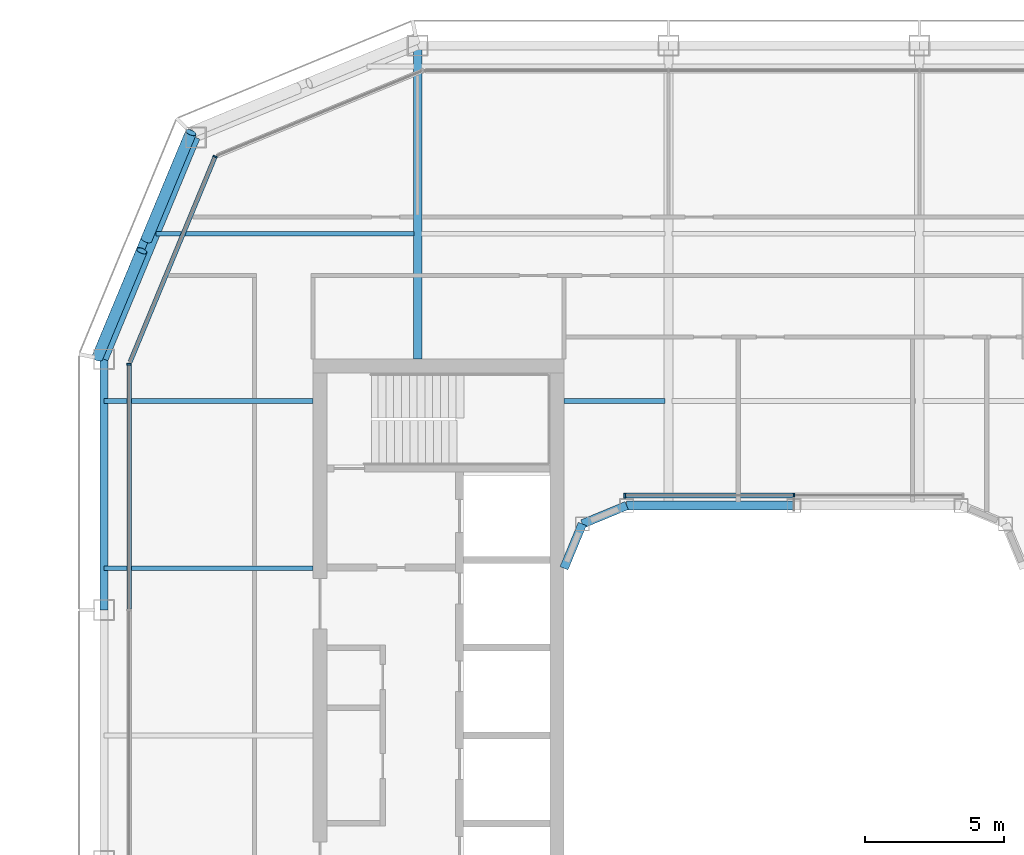
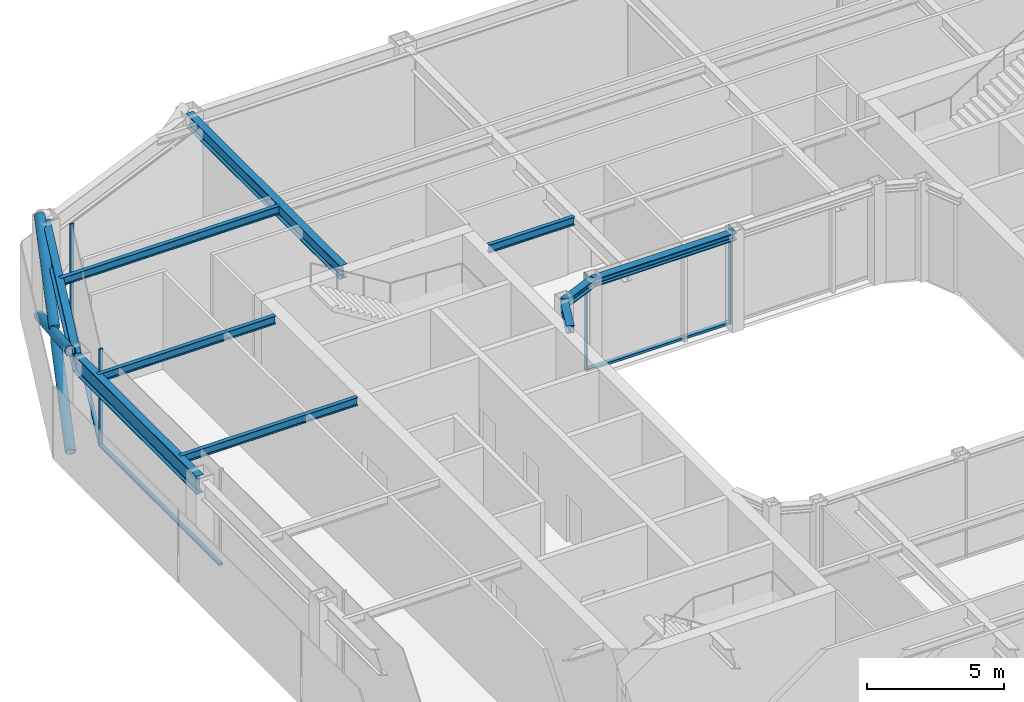
# One storey, part 6 of 20: 10 beams, 10 members, 3 elements without a shape of their own.
"""IFC4 building model written with IfcOpenShell, lengths in metres."""

from ifc_helpers import new_model, si_unit, direction, frame, origin, origin_2d, place, context, subcontext, project, spatial, rectangle, hollow_circle, i_section, extrude, material, layer, layer_set, material_profile, profile_set, type_object, element, aggregate, save


model = new_model("IFC4")

# Units and contexts
model_context = context("Model", 3, precision=1e-05, world=origin(), true_north=direction((0.0, 1.0)))
body_context = subcontext(model_context, "Body", "Model", "MODEL_VIEW")
ifc_project = project(units=[si_unit("LENGTHUNIT", "METRE"), si_unit("AREAUNIT", "SQUARE_METRE"), si_unit("VOLUMEUNIT", "CUBIC_METRE"), si_unit("PLANEANGLEUNIT", "RADIAN"), si_unit("MASSUNIT", "GRAM", prefix="KILO")], contexts=[model_context])

# Site, building, storey
site_placement = place(None, origin())
site = spatial("IfcSite", under=ifc_project, at=site_placement, CompositionType="ELEMENT")
building_placement = place(site_placement, origin())
building = spatial("IfcBuilding", under=site, at=building_placement, Name="Siwar Civic Tower", CompositionType="ELEMENT")
storey_placement = place(building_placement, frame((0.0, 0.0, 298.699951171875)))
storey = spatial("IfcBuildingStorey", under=building, at=storey_placement, Name="L64", CompositionType="ELEMENT", Elevation=298.699951171875)

# Curtain wall, member
ifc_material_1 = material(Name="Aluminium clad insulated panel", Category="aluminium")
ifc_layer_1 = layer(ifc_material_1, 0.159912109375)
ifc_layer_set_1 = layer_set([ifc_layer_1], Name="Aluminium clad insulated panel")
curtain_wall_type_1 = type_object("IfcCurtainWallType", Name="ENV-CW-DX", PredefinedType="NOTDEFINED", material=ifc_layer_set_1)
curtain_wall_1_placement = place(storey_placement, origin())
curtain_wall_1 = element("IfcCurtainWall", 1, at=curtain_wall_1_placement, inside=storey, type_object=curtain_wall_type_1, Name="Curtain wall D NW2", PredefinedType="NOTDEFINED")
ifc_material_2 = material(Name="Aluminium 6063-T6", Category="aluminium")
ifc_material_profile_1 = material_profile(ifc_material_2, rectangle(XDim=0.159912109375, YDim=0.06005859375, at=origin_2d()), Name="AL 160x60")
ifc_profile_set_1 = profile_set([ifc_material_profile_1], Name="Aluminium 6063-T6")
member_type_1 = type_object("IfcMemberType", Name="ENV-MULLION-D", PredefinedType="MULLION", material=ifc_profile_set_1)
member_1_placement = place(storey_placement, frame((-20.76611328125, 20.76611328125, 0.0), z_axis=(0.0, 0.0, 1.0), x_axis=(0.923879532511, -0.382683432365, 0.0)))
member_1 = element("IfcMember", 2, at=member_1_placement, type_object=member_type_1, Name="Mullion D NW2 1", PredefinedType="MULLION", context=body_context, shape_type="SweptSolid", body=[
    extrude(rectangle(XDim=0.159912109375, YDim=0.06005859375, at=origin_2d()), origin(), (0.0, 0.0, 1.0), 4.35009765625),
])

ifc_material_3 = material(Name="Aluminium and glass", Category="aluminium")
ifc_layer_2 = layer(ifc_material_3, 0.159912109375)
ifc_layer_set_2 = layer_set([ifc_layer_2], Name="Aluminium and glass")
curtain_wall_type_2 = type_object("IfcCurtainWallType", Name="ENV-CW-D", PredefinedType="NOTDEFINED", material=ifc_layer_set_2)
curtain_wall_2_placement = place(storey_placement, origin())
curtain_wall_2 = element("IfcCurtainWall", 3, at=curtain_wall_2_placement, inside=storey, type_object=curtain_wall_type_2, Name="Curtain wall D W", PredefinedType="NOTDEFINED")
member_2_placement = place(storey_placement, frame((-23.85009765625, 13.321044921875, 0.0), z_axis=(0.0, 0.0, 1.0), x_axis=(1.0, 0.0, 0.0)))
member_2 = element("IfcMember", 4, at=member_2_placement, type_object=member_type_1, Name="Mullion D W 1", PredefinedType="MULLION", context=body_context, shape_type="SweptSolid", body=[
    extrude(rectangle(XDim=0.159912109375, YDim=0.06005859375, at=origin_2d()), origin(), (0.0, 0.0, 1.0), 4.35009765625),
])

# Curtain wall, members
ifc_material_4 = material(Name="Aluminium and glass", Category="aluminium")
ifc_layer_3 = layer(ifc_material_4, 0.179931640625)
ifc_layer_set_3 = layer_set([ifc_layer_3], Name="Aluminium and glass")
curtain_wall_type_3 = type_object("IfcCurtainWallType", Name="ENV-CW-W", PredefinedType="NOTDEFINED", material=ifc_layer_set_3)
curtain_wall_3_placement = place(storey_placement, origin())
curtain_wall_3 = element("IfcCurtainWall", 5, at=curtain_wall_3_placement, inside=storey, type_object=curtain_wall_type_3, Name="Curtain wall W WN", PredefinedType="NOTDEFINED")
ifc_material_5 = material(Name="Aluminium 6063-T6", Category="aluminium")
ifc_material_profile_2 = material_profile(ifc_material_5, rectangle(XDim=0.179931640625, YDim=0.06005859375, at=origin_2d()), Name="AL 180x60")
ifc_profile_set_2 = profile_set([ifc_material_profile_2], Name="Aluminium 6063-T6")
member_type_2 = type_object("IfcMemberType", Name="ENV-MULLION-W", PredefinedType="MULLION", material=ifc_profile_set_2)
member_3_placement = place(storey_placement, frame((0.0, 8.610107421875, 0.0), z_axis=(0.0, 0.0, 1.0), x_axis=(0.0, -1.0, 0.0)))
member_3 = element("IfcMember", 6, at=member_3_placement, type_object=member_type_2, Name="Mullion W WN 2", PredefinedType="MULLION", context=body_context, shape_type="SweptSolid", body=[
    extrude(rectangle(XDim=0.179931640625, YDim=0.06005859375, at=origin_2d()), origin(), (0.0, 0.0, 1.0), 4.35009765625),
])
member_4_placement = place(storey_placement, frame((-6.071533203125, 8.610107421875, 0.0), z_axis=(0.0, 0.0, 1.0), x_axis=(0.0, -1.0, 0.0)))
member_4 = element("IfcMember", 7, at=member_4_placement, type_object=member_type_2, Name="Mullion W WN 3", PredefinedType="MULLION", context=body_context, shape_type="SweptSolid", body=[
    extrude(rectangle(XDim=0.179931640625, YDim=0.06005859375, at=origin_2d()), origin(), (0.0, 0.0, 1.0), 4.35009765625),
])

# Member
ifc_material_6 = material(Name="Aluminium 6063-T6", Category="aluminium")
ifc_material_profile_3 = material_profile(ifc_material_6, rectangle(XDim=0.159912109375, YDim=0.10009765625, at=origin_2d()), Name="AL 160x100")
ifc_profile_set_3 = profile_set([ifc_material_profile_3], Name="Aluminium 6063-T6")
member_type_3 = type_object("IfcMemberType", Name="ENV-TRANSOM-D", PredefinedType="USERDEFINED", material=ifc_profile_set_3)
member_5_placement = place(storey_placement, frame((-20.777587890625, 20.738525390625, 0.050048828125), z_axis=(-0.382673515031, -0.923883640343, 0.0), x_axis=(0.923883640343, -0.382673515031, 0.0)))
member_5 = element("IfcMember", 8, at=member_5_placement, type_object=member_type_3, Name="Transom D NW2 1", ObjectType="TRANSOM", PredefinedType="USERDEFINED", context=body_context, shape_type="SweptSolid", body=[
    extrude(rectangle(XDim=0.159912109375, YDim=0.10009765625, at=origin_2d()), origin(), (0.0, 0.0, 1.0), 7.930908203125),
])

aggregate(curtain_wall_1, [member_1, member_5])

member_6_placement = place(storey_placement, frame((-23.85009765625, 13.291015625, 0.050048828125), z_axis=(0.0, -1.0, 0.0), x_axis=(1.0, 0.0, 0.0)))
member_6 = element("IfcMember", 9, at=member_6_placement, type_object=member_type_3, Name="Transom D W 1", ObjectType="TRANSOM", PredefinedType="USERDEFINED", context=body_context, shape_type="SweptSolid", body=[
    extrude(rectangle(XDim=0.159912109375, YDim=0.10009765625, at=origin_2d()), origin(), (0.0, 0.0, 1.0), 8.760986328125),
])

aggregate(curtain_wall_2, [member_2, member_6])

ifc_material_7 = material(Name="Aluminium 6063-T6", Category="aluminium")
ifc_material_profile_4 = material_profile(ifc_material_7, rectangle(XDim=0.179931640625, YDim=0.10009765625, at=origin_2d()), Name="AL 180x100")
ifc_profile_set_4 = profile_set([ifc_material_profile_4], Name="Aluminium 6063-T6")
member_type_4 = type_object("IfcMemberType", Name="ENV-TRANSOM-W", PredefinedType="USERDEFINED", material=ifc_profile_set_4)
member_7_placement = place(storey_placement, frame((-0.030029296875, 8.610107421875, 0.050048828125), z_axis=(-1.0, 0.0, 0.0), x_axis=(0.0, -1.0, 0.0)))
member_7 = element("IfcMember", 10, at=member_7_placement, type_object=member_type_4, Name="Transom W WN 2", ObjectType="TRANSOM", PredefinedType="USERDEFINED", context=body_context, shape_type="SweptSolid", body=[
    extrude(rectangle(XDim=0.179931640625, YDim=0.10009765625, at=origin_2d()), origin(), (0.0, 0.0, 1.0), 6.011474609375),
])

aggregate(curtain_wall_3, [member_3, member_4, member_7])

# Members
ifc_material_8 = material(Name="Steel S355", Category="steel")
ifc_material_profile_5 = material_profile(ifc_material_8, hollow_circle(Radius=0.203125, WallThickness=0.01611328125, at=origin_2d()), Name="CHS406.4x16")
ifc_profile_set_5 = profile_set([ifc_material_profile_5], Name="Steel S355")
member_type_5 = type_object("IfcMemberType", Name="STR-BR-CHS406.4x16", PredefinedType="BRACE", material=ifc_profile_set_5)
member_8_placement = place(storey_placement, frame((-21.6318359375, 21.6318359375, 0.0), z_axis=(-0.341671493852, -0.821142553604, 0.457149315816), x_axis=(0.923264922524, -0.384163874976, 0.0)))
element("IfcMember", 11, at=member_8_placement, inside=storey, type_object=member_type_5, Name="L64/brc/DNW1-3-0-1", PredefinedType="BRACE", context=body_context, shape_type="SweptSolid", body=[
    extrude(hollow_circle(Radius=0.203125, WallThickness=0.01611328125, at=origin_2d()), origin(), (0.0, 0.0, 1.0), 9.843505859375),
])
for number, where, z_axis, x_axis, name in (
    (12, (-24.9951171875, 13.548828125, 0.0), (0.341659024948, 0.821130093572, 0.45718101459), (-0.923267827529, 0.384156893273, 0.0), "L64/brc/DNW1-3-0-2"),
    (13, (-23.229736328125, 17.791259765625, 2.362060546875), (0.341652533125, 0.821166691915, 0.457120127208), (-0.923276488787, 0.38413607648, 0.0), "L64/brc/DNW1-3-0-3"),
):
    element("IfcMember", number, at=place(storey_placement, frame(where, z_axis=z_axis, x_axis=x_axis)), inside=storey, type_object=member_type_5, Name=name, PredefinedType="BRACE", context=body_context, shape_type="SweptSolid", body=[
        extrude(hollow_circle(Radius=0.203125, WallThickness=0.01611328125, at=origin_2d()), origin(), (0.0, 0.0, 1.0), 4.677001953125),
    ])

# Beams
ifc_material_9 = material(Name="Steel S355", Category="steel")
ifc_material_profile_6 = material_profile(ifc_material_9, i_section(OverallWidth=0.169921875, OverallDepth=0.360107421875, WebThickness=0.008056640625, FlangeThickness=0.0126953125, FilletRadius=0.01806640625, at=origin_2d()), Name="IPE360")
ifc_profile_set_6 = profile_set([ifc_material_profile_6], Name="Steel S355")
beam_type_1 = type_object("IfcBeamType", Name="STR-FB-IPE360", PredefinedType="JOIST", material=ifc_profile_set_6)
for number, where, z_axis, x_axis, name in (
    (14, (-24.75, 6.0, 4.170166015625), (1.0, 0.0, 0.0), (0.0, 1.0, 0.0), "L64/bm/F020"),
    (15, (-24.75, 12.0, 4.170166015625), (1.0, 0.0, 0.0), (0.0, 1.0, 0.0), "L64/bm/F022"),
):
    element("IfcBeam", number, at=place(storey_placement, frame(where, z_axis=z_axis, x_axis=x_axis)), inside=storey, type_object=beam_type_1, Name=name, PredefinedType="JOIST", context=body_context, shape_type="SweptSolid", body=[
        extrude(i_section(OverallWidth=0.169921875, OverallDepth=0.360107421875, WebThickness=0.008056640625, FlangeThickness=0.0126953125, FilletRadius=0.01806640625, at=origin_2d()), origin(), (0.0, 0.0, 1.0), 7.5),
    ])
beam_1_placement = place(storey_placement, frame((-8.25, 12.0, 4.170166015625), z_axis=(1.0, 0.0, 0.0), x_axis=(0.0, 1.0, 0.0)))
element("IfcBeam", 16, at=beam_1_placement, inside=storey, type_object=beam_type_1, Name="L64/bm/F023", PredefinedType="JOIST", context=body_context, shape_type="SweptSolid", body=[
    extrude(i_section(OverallWidth=0.169921875, OverallDepth=0.360107421875, WebThickness=0.008056640625, FlangeThickness=0.0126953125, FilletRadius=0.01806640625, at=origin_2d()), origin(), (0.0, 0.0, 1.0), 3.6201171875),
])
beam_2_placement = place(storey_placement, frame((-22.885986328125, 18.0, 4.170166015625), z_axis=(1.0, 0.0, 0.0), x_axis=(0.0, 1.0, 0.0)))
element("IfcBeam", 17, at=beam_2_placement, inside=storey, type_object=beam_type_1, Name="L64/bm/F027", PredefinedType="JOIST", context=body_context, shape_type="SweptSolid", body=[
    extrude(i_section(OverallWidth=0.169921875, OverallDepth=0.360107421875, WebThickness=0.008056640625, FlangeThickness=0.0126953125, FilletRadius=0.01806640625, at=origin_2d()), origin(), (0.0, 0.0, 1.0), 9.256103515625),
])
ifc_material_10 = material(Name="Steel S355", Category="steel")
ifc_material_profile_7 = material_profile(ifc_material_10, i_section(OverallWidth=0.300048828125, OverallDepth=0.60009765625, WebThickness=0.015380859375, FlangeThickness=0.030029296875, FilletRadius=0.027099609375, at=origin_2d()), Name="HEB600")
ifc_profile_set_7 = profile_set([ifc_material_profile_7], Name="Steel S355")
beam_type_2 = type_object("IfcBeamType", Name="STR-PG-HEB600", PredefinedType="BEAM", material=ifc_profile_set_7)
beam_3_placement = place(storey_placement, frame((-13.5, 13.5, 4.050048828125), z_axis=(0.0, 1.0, 0.0), x_axis=(-1.0, 0.0, 0.0)))
element("IfcBeam", 18, at=beam_3_placement, inside=storey, type_object=beam_type_2, Name="L64/bm/G02", PredefinedType="BEAM", context=body_context, shape_type="SweptSolid", body=[
    extrude(i_section(OverallWidth=0.300048828125, OverallDepth=0.60009765625, WebThickness=0.015380859375, FlangeThickness=0.030029296875, FilletRadius=0.027099609375, at=origin_2d()), origin(), (0.0, 0.0, 1.0), 11.25),
])
ifc_material_11 = material(Name="Steel S355", Category="steel")
ifc_material_profile_8 = material_profile(ifc_material_11, i_section(OverallWidth=0.31005859375, OverallDepth=0.340087890625, WebThickness=0.02099609375, FlangeThickness=0.0390625, FilletRadius=0.027099609375, at=origin_2d()), Name="HEM300")
ifc_profile_set_8 = profile_set([ifc_material_profile_8], Name="Steel S355")
beam_type_3 = type_object("IfcBeamType", Name="STR-RB-HEM300", PredefinedType="BEAM", material=ifc_profile_set_8)
beam_4_placement = place(storey_placement, frame((-7.591064453125, 7.591064453125, 4.179931640625), z_axis=(0.923901072997, 0.382631424892, 0.0), x_axis=(-0.382631424892, 0.923901072997, 0.0)))
element("IfcBeam", 19, at=beam_4_placement, inside=storey, type_object=beam_type_3, Name="L64/bm/RN0", PredefinedType="BEAM", context=body_context, shape_type="SweptSolid", body=[
    extrude(i_section(OverallWidth=0.31005859375, OverallDepth=0.340087890625, WebThickness=0.02099609375, FlangeThickness=0.0390625, FilletRadius=0.027099609375, at=origin_2d()), origin(), (0.0, 0.0, 1.0), 1.72216796875),
])
beam_5_placement = place(storey_placement, frame((-6.0, 8.25, 4.179931640625), z_axis=(1.0, 0.0, 0.0), x_axis=(0.0, 1.0, 0.0)))
element("IfcBeam", 20, at=beam_5_placement, inside=storey, type_object=beam_type_3, Name="L64/bm/RN1", PredefinedType="BEAM", context=body_context, shape_type="SweptSolid", body=[
    extrude(i_section(OverallWidth=0.31005859375, OverallDepth=0.340087890625, WebThickness=0.02099609375, FlangeThickness=0.0390625, FilletRadius=0.027099609375, at=origin_2d()), origin(), (0.0, 0.0, 1.0), 6.0),
])
beam_6_placement = place(storey_placement, frame((-7.591064453125, 7.591064453125, 4.179931640625), z_axis=(-0.382631424892, -0.923901072997, 0.0), x_axis=(0.923901072997, -0.382631424892, 0.0)))
element("IfcBeam", 21, at=beam_6_placement, inside=storey, type_object=beam_type_3, Name="L64/bm/RNEW", PredefinedType="BEAM", context=body_context, shape_type="SweptSolid", body=[
    extrude(i_section(OverallWidth=0.31005859375, OverallDepth=0.340087890625, WebThickness=0.02099609375, FlangeThickness=0.0390625, FilletRadius=0.027099609375, at=origin_2d()), origin(), (0.0, 0.0, 1.0), 1.72216796875),
])
ifc_material_12 = material(Name="Steel S355", Category="steel")
ifc_material_profile_9 = material_profile(ifc_material_12, i_section(OverallWidth=0.300048828125, OverallDepth=0.800048828125, WebThickness=0.017578125, FlangeThickness=0.032958984375, FilletRadius=0.030029296875, at=origin_2d()), Name="HEB800")
ifc_profile_set_9 = profile_set([ifc_material_profile_9], Name="Steel S355")
beam_type_4 = type_object("IfcBeamType", Name="STR-SB-HEB800", PredefinedType="BEAM", material=ifc_profile_set_9)
beam_7_placement = place(storey_placement, frame((-21.454833984375, 21.454833984375, 3.949951171875), z_axis=(-0.382699877515, -0.923872720536, 0.0), x_axis=(0.923872720536, -0.382699877515, 0.0)))
element("IfcBeam", 22, at=beam_7_placement, inside=storey, type_object=beam_type_4, Name="L64/bm/SNW2-0", PredefinedType="BEAM", context=body_context, shape_type="SweptSolid", body=[
    extrude(i_section(OverallWidth=0.300048828125, OverallDepth=0.800048828125, WebThickness=0.017578125, FlangeThickness=0.032958984375, FilletRadius=0.030029296875, at=origin_2d()), origin(), (0.0, 0.0, 1.0), 8.6103515625),
])
beam_8_placement = place(storey_placement, frame((-24.75, 13.5, 3.949951171875), z_axis=(0.0, -1.0, 0.0), x_axis=(1.0, 0.0, 0.0)))
element("IfcBeam", 23, at=beam_8_placement, inside=storey, type_object=beam_type_4, Name="L64/bm/SW-0", PredefinedType="BEAM", context=body_context, shape_type="SweptSolid", body=[
    extrude(i_section(OverallWidth=0.300048828125, OverallDepth=0.800048828125, WebThickness=0.017578125, FlangeThickness=0.032958984375, FilletRadius=0.030029296875, at=origin_2d()), origin(), (0.0, 0.0, 1.0), 9.0),
])

save(model, "model.ifc")
